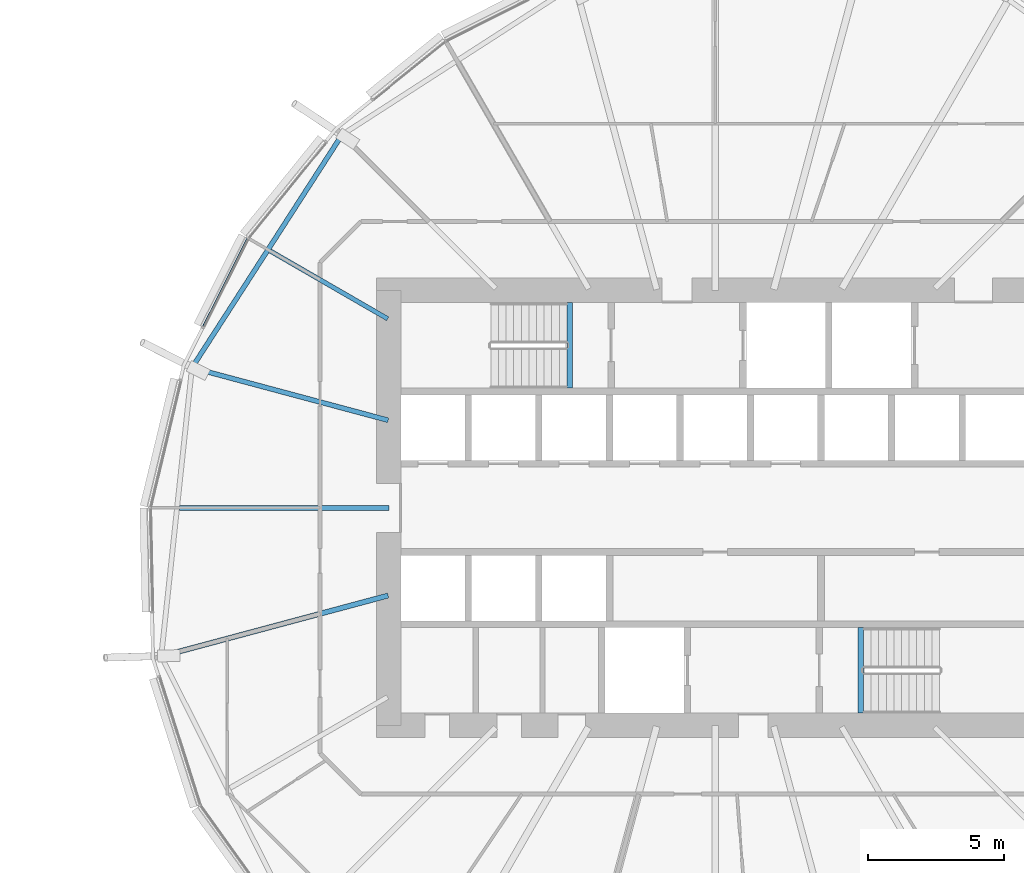
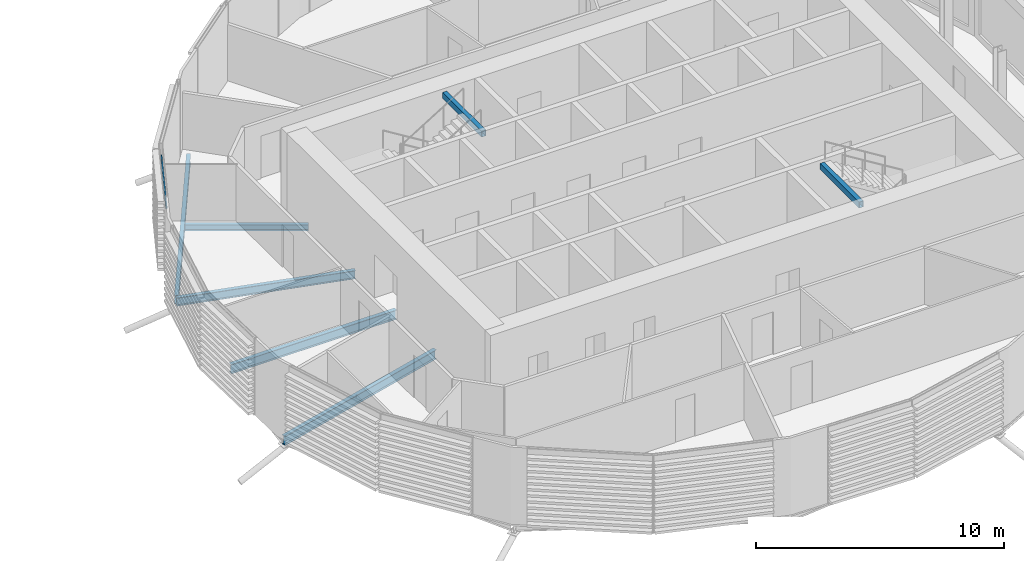
# One storey, part 14 of 36: 7 beams, 1 member, 1 element without a shape of its own.
"""IFC4 building model written with IfcOpenShell, lengths in metres."""

from ifc_helpers import new_model, si_unit, direction, frame, origin, origin_2d, place, context, subcontext, project, spatial, rectangle, hollow_rectangle, i_section, extrude, material, material_profile, profile_set, type_object, element, aggregate, save


model = new_model("IFC4")

# Units and contexts
model_context = context("Model", 3, precision=1e-05, world=origin(), true_north=direction((0.0, 1.0)))
body_context = subcontext(model_context, "Body", "Model", "MODEL_VIEW")
ifc_project = project(units=[si_unit("LENGTHUNIT", "METRE"), si_unit("AREAUNIT", "SQUARE_METRE"), si_unit("VOLUMEUNIT", "CUBIC_METRE"), si_unit("PLANEANGLEUNIT", "RADIAN"), si_unit("MASSUNIT", "GRAM", prefix="KILO")], contexts=[model_context])

# Site, building, storey
site_placement = place(None, origin())
site = spatial("IfcSite", under=ifc_project, at=site_placement, CompositionType="ELEMENT")
building_placement = place(site_placement, origin())
building = spatial("IfcBuilding", under=site, at=building_placement, Name="Rimbun Link Towers", CompositionType="ELEMENT")
storey_placement = place(building_placement, frame((0.0, 0.0, 33.800048828125)))
storey = spatial("IfcBuildingStorey", under=building, at=storey_placement, Name="L07", CompositionType="ELEMENT", Elevation=33.800048828125)

# Curtain wall, member
ifc_material_1 = material(Name="Aluminium 6063-T6 and low-iron glass", Category="aluminium")
curtain_wall_type = type_object("IfcCurtainWallType", Name="CW1 unitised vision wall", PredefinedType="NOTDEFINED", material=ifc_material_1)
curtain_wall_placement = place(storey_placement, origin())
curtain_wall = element("IfcCurtainWall", 1, at=curtain_wall_placement, inside=storey, type_object=curtain_wall_type, Name="CW1 L07 T2", PredefinedType="NOTDEFINED")
ifc_material_2 = material(Name="Aluminium 6063-T6", Category="aluminium")
ifc_material_profile_1 = material_profile(ifc_material_2, rectangle(XDim=0.06005859375, YDim=0.1201171875, at=origin_2d()), Name="TRANSOM 60X120")
ifc_profile_set_1 = profile_set([ifc_material_profile_1], Name="Aluminium 6063-T6")
member_type = type_object("IfcMemberType", Name="CW1 transom 60X120", PredefinedType="USERDEFINED", material=ifc_profile_set_1)
member_placement = place(storey_placement, frame((12.92236328125, 6.658935546875, 3.199951171875), z_axis=(0.448777630286, 0.893643462772, 0.0), x_axis=(-0.893643462772, 0.448777630286, 0.0)))
member = element("IfcMember", 2, at=member_placement, type_object=member_type, Name="CW1 transom", ObjectType="TRANSOM", PredefinedType="USERDEFINED", context=body_context, shape_type="SweptSolid", body=[
    extrude(rectangle(XDim=0.06005859375, YDim=0.1201171875, at=origin_2d()), origin(), (0.0, 0.0, 1.0), 3.619873046875),
])
aggregate(curtain_wall, [member])

# Beams
ifc_material_3 = material(Name="Steel S355J2", Category="steel")
ifc_material_profile_2 = material_profile(ifc_material_3, hollow_rectangle(XDim=0.199951171875, YDim=0.300048828125, WallThickness=0.011962890625, at=origin_2d()), Name="BOX 300x200x12")
ifc_profile_set_2 = profile_set([ifc_material_profile_2], Name="Steel S355J2")
beam_type_1 = type_object("IfcBeamType", Name="Stair trimmer beam BOX 300x200x12", PredefinedType="BEAM", material=ifc_profile_set_2)
for number, where, z_axis, x_axis, name in (
    (3, (26.39990234375, 7.550048828125, 3.489990234375), (0.0, -1.0, 0.0), (1.0, 0.0, 0.0), "L07 ST3 stair beam 1"),
    (4, (37.10009765625, -7.550048828125, 3.489990234375), (0.0, 1.0, 0.0), (-1.0, 0.0, 0.0), "L07 ST4 stair beam 1"),
):
    element("IfcBeam", number, at=place(storey_placement, frame(where, z_axis=z_axis, x_axis=x_axis)), inside=storey, type_object=beam_type_1, Name=name, PredefinedType="BEAM", context=body_context, shape_type="SweptSolid", body=[
        extrude(hollow_rectangle(XDim=0.199951171875, YDim=0.300048828125, WallThickness=0.011962890625, at=origin_2d()), origin(), (0.0, 0.0, 1.0), 3.150146484375),
    ])
ifc_material_4 = material(Name="Steel S355J2", Category="steel")
ifc_material_profile_3 = material_profile(ifc_material_4, i_section(OverallWidth=0.1650390625, OverallDepth=0.303466796875, WebThickness=0.006103515625, FlangeThickness=0.01025390625, at=origin_2d()), Name="UB 305x165x40")
ifc_profile_set_3 = profile_set([ifc_material_profile_3], Name="Steel S355J2")
beam_type_2 = type_object("IfcBeamType", Name="UB 305x165x40", PredefinedType="BEAM", material=ifc_profile_set_3)
beam_1_placement = place(storey_placement, frame((19.7080078125, 6.952392578125, -0.311767578125), z_axis=(-0.866028394472, 0.499994819941, 0.0), x_axis=(-0.499994819941, -0.866028394472, 0.0)))
element("IfcBeam", 5, at=beam_1_placement, inside=storey, type_object=beam_type_2, Name="Radial beam T2 L07 07", PredefinedType="BEAM", context=body_context, shape_type="SweptSolid", body=[
    extrude(i_section(OverallWidth=0.1650390625, OverallDepth=0.303466796875, WebThickness=0.006103515625, FlangeThickness=0.01025390625, at=origin_2d()), origin(), (0.0, 0.0, 1.0), 4.99169921875),
])
ifc_material_5 = material(Name="Steel S355J2", Category="steel")
ifc_material_profile_4 = material_profile(ifc_material_5, i_section(OverallWidth=0.177978515625, OverallDepth=0.406494140625, WebThickness=0.0078125, FlangeThickness=0.0126953125, at=origin_2d()), Name="UB 406x178x60")
ifc_profile_set_4 = profile_set([ifc_material_profile_4], Name="Steel S355J2")
beam_type_3 = type_object("IfcBeamType", Name="UB 406x178x60", PredefinedType="BEAM", material=ifc_profile_set_4)
beam_2_placement = place(storey_placement, frame((19.72607421875, 3.2216796875, -0.36328125), z_axis=(-0.965924997945, 0.258822136505, 0.0), x_axis=(-0.258822136505, -0.965924997945, 0.0)))
element("IfcBeam", 6, at=beam_2_placement, inside=storey, type_object=beam_type_3, Name="Radial beam T2 L07 08", PredefinedType="BEAM", context=body_context, shape_type="SweptSolid", body=[
    extrude(i_section(OverallWidth=0.177978515625, OverallDepth=0.406494140625, WebThickness=0.0078125, FlangeThickness=0.0126953125, at=origin_2d()), origin(), (0.0, 0.0, 1.0), 7.46875),
])
beam_3_placement = place(storey_placement, frame((17.980224609375, 13.642578125, -0.36328125), z_axis=(-0.541592488926, -0.840641169548, 0.0), x_axis=(0.840641169548, -0.541592488926, 0.0)))
element("IfcBeam", 7, at=beam_3_placement, inside=storey, type_object=beam_type_3, Name="Edge beam T2 L07 06-08", PredefinedType="BEAM", context=body_context, shape_type="SweptSolid", body=[
    extrude(i_section(OverallWidth=0.177978515625, OverallDepth=0.406494140625, WebThickness=0.0078125, FlangeThickness=0.0126953125, at=origin_2d()), origin(), (0.0, 0.0, 1.0), 10.00244140625),
])
ifc_material_6 = material(Name="Steel S355J2", Category="steel")
ifc_material_profile_5 = material_profile(ifc_material_6, i_section(OverallWidth=0.18994140625, OverallDepth=0.453369140625, WebThickness=0.008544921875, FlangeThickness=0.0126953125, at=origin_2d()), Name="UB 457x191x67")
ifc_profile_set_5 = profile_set([ifc_material_profile_5], Name="Steel S355J2")
beam_type_4 = type_object("IfcBeamType", Name="UB 457x191x67", PredefinedType="BEAM", material=ifc_profile_set_5)
beam_4_placement = place(storey_placement, frame((19.7490234375, 0.0, -0.38671875), z_axis=(-1.0, 0.0, 0.0), x_axis=(0.0, -1.0, 0.0)))
element("IfcBeam", 8, at=beam_4_placement, inside=storey, type_object=beam_type_4, Name="Radial beam T2 L07 09", PredefinedType="BEAM", context=body_context, shape_type="SweptSolid", body=[
    extrude(i_section(OverallWidth=0.18994140625, OverallDepth=0.453369140625, WebThickness=0.008544921875, FlangeThickness=0.0126953125, at=origin_2d()), origin(), (0.0, 0.0, 1.0), 7.69580078125),
])
beam_5_placement = place(storey_placement, frame((19.724609375, -3.22216796875, -0.38671875), z_axis=(-0.965923195785, -0.258828862078, 0.0), x_axis=(0.258828862078, -0.965923195785, 0.0)))
element("IfcBeam", 9, at=beam_5_placement, inside=storey, type_object=beam_type_4, Name="Radial beam T2 L07 10", PredefinedType="BEAM", context=body_context, shape_type="SweptSolid", body=[
    extrude(i_section(OverallWidth=0.18994140625, OverallDepth=0.453369140625, WebThickness=0.008544921875, FlangeThickness=0.0126953125, at=origin_2d()), origin(), (0.0, 0.0, 1.0), 8.637451171875),
])

save(model, "model.ifc")
